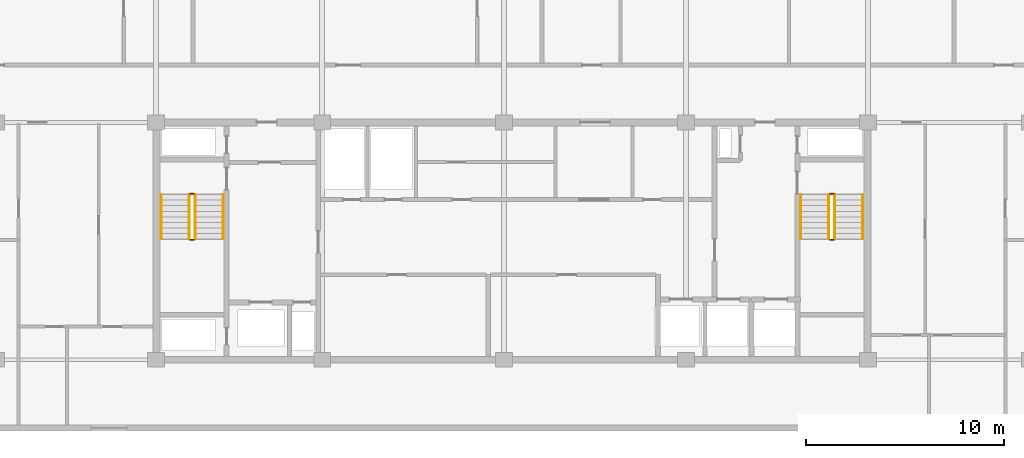
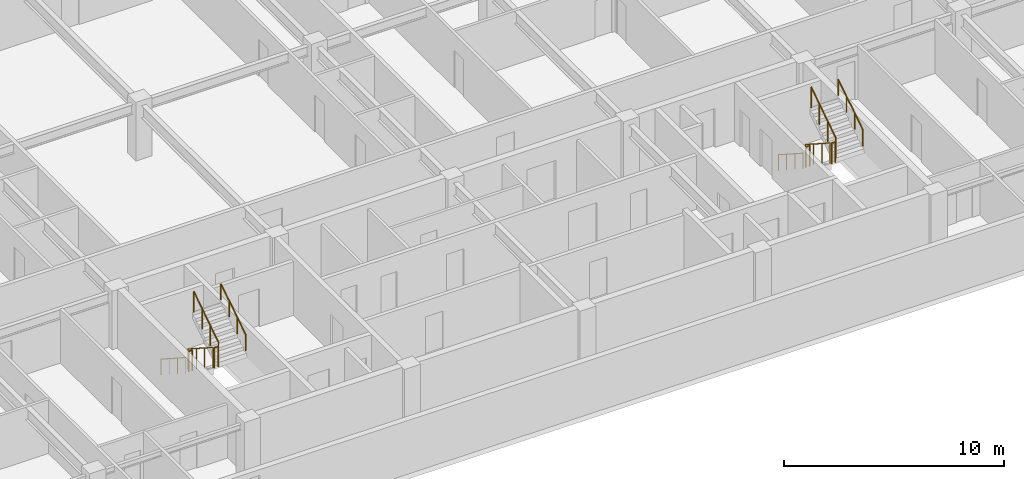
# One storey, part 21 of 22: 12 railings.
"""IFC4 building model written with IfcOpenShell, lengths in metres."""

from ifc_helpers import new_model, si_unit, direction, frame, origin, origin_2d, place, context, subcontext, project, spatial, circle, extrude, material, type_object, element, save


model = new_model("IFC4")

# Units and contexts
model_context = context("Model", 3, precision=1e-05, world=origin(), true_north=direction((0.0, 1.0)))
body_context = subcontext(model_context, "Body", "Model", "MODEL_VIEW")
ifc_project = project(units=[si_unit("LENGTHUNIT", "METRE"), si_unit("AREAUNIT", "SQUARE_METRE"), si_unit("VOLUMEUNIT", "CUBIC_METRE"), si_unit("PLANEANGLEUNIT", "RADIAN"), si_unit("MASSUNIT", "GRAM", prefix="KILO")], contexts=[model_context])

# Site, building, storey
site_placement = place(None, origin())
site = spatial("IfcSite", under=ifc_project, at=site_placement, CompositionType="ELEMENT")
building_placement = place(site_placement, origin())
building = spatial("IfcBuilding", under=site, at=building_placement, Name="Korimba Cascade Residences", CompositionType="ELEMENT")
storey_placement = place(building_placement, frame((0.0, 0.0, 194.60009765625)))
storey = spatial("IfcBuildingStorey", under=building, at=storey_placement, Name="L56", CompositionType="ELEMENT", Elevation=194.60009765625)

# Railings
ifc_material_1 = material(Name="Painted Steel Stairwell Guardrail", Category="steel")
railing_type_1 = type_object("IfcRailingType", Name="RLG-ST-GD1150", PredefinedType="GUARDRAIL", material=ifc_material_1)
railing_1_placement = place(storey_placement, frame((77.77001953125, 63.550048828125, 0.180419921875)))
element("IfcRailing", 1, at=railing_1_placement, inside=storey, type_object=railing_type_1, Name="L56 ST-W1 stair guard 1", PredefinedType="GUARDRAIL", context=body_context, shape_type="SweptSolid", body=[
    extrude(circle(Radius=0.02392578125, at=origin_2d()), frame((0.0, 0.0, 1.1259765625), z_axis=(0.0, -0.840394893359, 0.541974559565), x_axis=(1.0, 0.0, 0.0)), (0.0, 0.0, 1.0), 2.665283203125),
    extrude(circle(Radius=0.02099609375, at=origin_2d()), origin(), (0.0, 0.0, 1.0), 1.101806640625),
    extrude(circle(Radius=0.02099609375, at=origin_2d()), frame((0.0, -0.74658203125, 0.4814453125)), (0.0, 0.0, 1.0), 1.101806640625),
    extrude(circle(Radius=0.02099609375, at=origin_2d()), frame((0.0, -1.493408203125, 0.963134765625)), (0.0, 0.0, 1.0), 1.101806640625),
    extrude(circle(Radius=0.02099609375, at=origin_2d()), frame((0.0, -2.239990234375, 1.444580078125)), (0.0, 0.0, 1.0), 1.101806640625),
])
railing_2_placement = place(storey_placement, frame((77.820068359375, 61.260009765625, 1.625)))
element("IfcRailing", 2, at=railing_2_placement, inside=storey, type_object=railing_type_1, Name="L56 ST-W1 stair guard 2", PredefinedType="GUARDRAIL", context=body_context, shape_type="SweptSolid", body=[
    extrude(circle(Radius=0.02392578125, at=origin_2d()), frame((0.0, 0.0, 1.1259765625), z_axis=(1.0, 0.0, 0.0), x_axis=(0.0, 1.0, 0.0)), (0.0, 0.0, 1.0), 0.199951171875),
    extrude(circle(Radius=0.02099609375, at=origin_2d()), origin(), (0.0, 0.0, 1.0), 1.101806640625),
    extrude(circle(Radius=0.02099609375, at=origin_2d()), frame((0.199951171875, 0.0, 0.0)), (0.0, 0.0, 1.0), 1.101806640625),
])
railing_3_placement = place(storey_placement, frame((78.070068359375, 61.31005859375, 1.805419921875)))
element("IfcRailing", 3, at=railing_3_placement, inside=storey, type_object=railing_type_1, Name="L56 ST-W1 stair guard 3", PredefinedType="GUARDRAIL", context=body_context, shape_type="SweptSolid", body=[
    extrude(circle(Radius=0.02392578125, at=origin_2d()), frame((0.0, 0.0, 1.1259765625), z_axis=(0.0, 0.840394893359, 0.541974559565), x_axis=(-1.0, 0.0, 0.0)), (0.0, 0.0, 1.0), 2.665283203125),
    extrude(circle(Radius=0.02099609375, at=origin_2d()), origin(), (0.0, 0.0, 1.0), 1.101806640625),
    extrude(circle(Radius=0.02099609375, at=origin_2d()), frame((0.0, 0.74658203125, 0.4814453125)), (0.0, 0.0, 1.0), 1.101806640625),
    extrude(circle(Radius=0.02099609375, at=origin_2d()), frame((0.0, 1.493408203125, 0.963134765625)), (0.0, 0.0, 1.0), 1.101806640625),
    extrude(circle(Radius=0.02099609375, at=origin_2d()), frame((0.0, 2.239990234375, 1.444580078125)), (0.0, 0.0, 1.0), 1.101806640625),
])
railing_4_placement = place(storey_placement, frame((77.820068359375, 63.60009765625, 0.0)))
element("IfcRailing", 4, at=railing_4_placement, inside=storey, type_object=railing_type_1, Name="L56 ST-W1 stair guard 4", PredefinedType="GUARDRAIL", context=body_context, shape_type="SweptSolid", body=[
    extrude(circle(Radius=0.02392578125, at=origin_2d()), frame((0.0, 0.0, 1.1259765625), z_axis=(1.0, 0.0, 0.0), x_axis=(0.0, 1.0, 0.0)), (0.0, 0.0, 1.0), 0.199951171875),
    extrude(circle(Radius=0.02099609375, at=origin_2d()), origin(), (0.0, 0.0, 1.0), 1.101806640625),
    extrude(circle(Radius=0.02099609375, at=origin_2d()), frame((0.199951171875, 0.0, 0.0)), (0.0, 0.0, 1.0), 1.101806640625),
])
railing_5_placement = place(storey_placement, frame((110.1298828125, 63.550048828125, 0.180419921875)))
element("IfcRailing", 5, at=railing_5_placement, inside=storey, type_object=railing_type_1, Name="L56 ST-W2 stair guard 1", PredefinedType="GUARDRAIL", context=body_context, shape_type="SweptSolid", body=[
    extrude(circle(Radius=0.02392578125, at=origin_2d()), frame((0.0, 0.0, 1.1259765625), z_axis=(0.0, -0.840394893359, 0.541974559565), x_axis=(1.0, 0.0, 0.0)), (0.0, 0.0, 1.0), 2.665283203125),
    extrude(circle(Radius=0.02099609375, at=origin_2d()), origin(), (0.0, 0.0, 1.0), 1.101806640625),
    extrude(circle(Radius=0.02099609375, at=origin_2d()), frame((0.0, -0.74658203125, 0.4814453125)), (0.0, 0.0, 1.0), 1.101806640625),
    extrude(circle(Radius=0.02099609375, at=origin_2d()), frame((0.0, -1.493408203125, 0.963134765625)), (0.0, 0.0, 1.0), 1.101806640625),
    extrude(circle(Radius=0.02099609375, at=origin_2d()), frame((0.0, -2.239990234375, 1.444580078125)), (0.0, 0.0, 1.0), 1.101806640625),
])
railing_6_placement = place(storey_placement, frame((110.179931640625, 61.260009765625, 1.625)))
element("IfcRailing", 6, at=railing_6_placement, inside=storey, type_object=railing_type_1, Name="L56 ST-W2 stair guard 2", PredefinedType="GUARDRAIL", context=body_context, shape_type="SweptSolid", body=[
    extrude(circle(Radius=0.02392578125, at=origin_2d()), frame((0.0, 0.0, 1.1259765625), z_axis=(1.0, 0.0, 0.0), x_axis=(0.0, 1.0, 0.0)), (0.0, 0.0, 1.0), 0.199951171875),
    extrude(circle(Radius=0.02099609375, at=origin_2d()), origin(), (0.0, 0.0, 1.0), 1.101806640625),
    extrude(circle(Radius=0.02099609375, at=origin_2d()), frame((0.199951171875, 0.0, 0.0)), (0.0, 0.0, 1.0), 1.101806640625),
])
railing_7_placement = place(storey_placement, frame((110.429931640625, 61.31005859375, 1.805419921875)))
element("IfcRailing", 7, at=railing_7_placement, inside=storey, type_object=railing_type_1, Name="L56 ST-W2 stair guard 3", PredefinedType="GUARDRAIL", context=body_context, shape_type="SweptSolid", body=[
    extrude(circle(Radius=0.02392578125, at=origin_2d()), frame((0.0, 0.0, 1.1259765625), z_axis=(0.0, 0.840394893359, 0.541974559565), x_axis=(-1.0, 0.0, 0.0)), (0.0, 0.0, 1.0), 2.665283203125),
    extrude(circle(Radius=0.02099609375, at=origin_2d()), origin(), (0.0, 0.0, 1.0), 1.101806640625),
    extrude(circle(Radius=0.02099609375, at=origin_2d()), frame((0.0, 0.74658203125, 0.4814453125)), (0.0, 0.0, 1.0), 1.101806640625),
    extrude(circle(Radius=0.02099609375, at=origin_2d()), frame((0.0, 1.493408203125, 0.963134765625)), (0.0, 0.0, 1.0), 1.101806640625),
    extrude(circle(Radius=0.02099609375, at=origin_2d()), frame((0.0, 2.239990234375, 1.444580078125)), (0.0, 0.0, 1.0), 1.101806640625),
])
railing_8_placement = place(storey_placement, frame((110.179931640625, 63.60009765625, 0.0)))
element("IfcRailing", 8, at=railing_8_placement, inside=storey, type_object=railing_type_1, Name="L56 ST-W2 stair guard 4", PredefinedType="GUARDRAIL", context=body_context, shape_type="SweptSolid", body=[
    extrude(circle(Radius=0.02392578125, at=origin_2d()), frame((0.0, 0.0, 1.1259765625), z_axis=(1.0, 0.0, 0.0), x_axis=(0.0, 1.0, 0.0)), (0.0, 0.0, 1.0), 0.199951171875),
    extrude(circle(Radius=0.02099609375, at=origin_2d()), origin(), (0.0, 0.0, 1.0), 1.101806640625),
    extrude(circle(Radius=0.02099609375, at=origin_2d()), frame((0.199951171875, 0.0, 0.0)), (0.0, 0.0, 1.0), 1.101806640625),
])
ifc_material_2 = material(Name="Brushed Stainless Steel Handrail", Category="steel")
railing_type_2 = type_object("IfcRailingType", Name="RLG-ST-HR900", PredefinedType="HANDRAIL", material=ifc_material_2)
railing_9_placement = place(storey_placement, frame((76.35009765625, 63.550048828125, 0.36474609375)))
element("IfcRailing", 9, at=railing_9_placement, inside=storey, type_object=railing_type_2, Name="L56 ST-W1 stair handrail 1", PredefinedType="HANDRAIL", context=body_context, shape_type="SweptSolid", body=[
    extrude(circle(Radius=0.02392578125, at=origin_2d()), frame((0.0, 0.0, 0.8759765625), z_axis=(0.0, -0.840394893359, 0.541974559565), x_axis=(1.0, 0.0, 0.0)), (0.0, 0.0, 1.0), 2.665283203125),
    extrude(circle(Radius=0.02099609375, at=origin_2d()), origin(), (0.0, 0.0, 1.0), 0.851806640625),
    extrude(circle(Radius=0.02099609375, at=origin_2d()), frame((0.0, -0.74658203125, 0.4814453125)), (0.0, 0.0, 1.0), 0.851806640625),
    extrude(circle(Radius=0.02099609375, at=origin_2d()), frame((0.0, -1.493408203125, 0.963134765625)), (0.0, 0.0, 1.0), 0.851806640625),
    extrude(circle(Radius=0.02099609375, at=origin_2d()), frame((0.0, -2.239990234375, 1.444580078125)), (0.0, 0.0, 1.0), 0.851806640625),
])
railing_10_placement = place(storey_placement, frame((79.489990234375, 61.31005859375, 1.98974609375)))
element("IfcRailing", 10, at=railing_10_placement, inside=storey, type_object=railing_type_2, Name="L56 ST-W1 stair handrail 2", PredefinedType="HANDRAIL", context=body_context, shape_type="SweptSolid", body=[
    extrude(circle(Radius=0.02392578125, at=origin_2d()), frame((0.0, 0.0, 0.8759765625), z_axis=(0.0, 0.840394893359, 0.541974559565), x_axis=(-1.0, 0.0, 0.0)), (0.0, 0.0, 1.0), 2.665283203125),
    extrude(circle(Radius=0.02099609375, at=origin_2d()), origin(), (0.0, 0.0, 1.0), 0.851806640625),
    extrude(circle(Radius=0.02099609375, at=origin_2d()), frame((0.0, 0.74658203125, 0.4814453125)), (0.0, 0.0, 1.0), 0.851806640625),
    extrude(circle(Radius=0.02099609375, at=origin_2d()), frame((0.0, 1.493408203125, 0.963134765625)), (0.0, 0.0, 1.0), 0.851806640625),
    extrude(circle(Radius=0.02099609375, at=origin_2d()), frame((0.0, 2.239990234375, 1.444580078125)), (0.0, 0.0, 1.0), 0.851806640625),
])
railing_11_placement = place(storey_placement, frame((108.7099609375, 63.550048828125, 0.36474609375)))
element("IfcRailing", 11, at=railing_11_placement, inside=storey, type_object=railing_type_2, Name="L56 ST-W2 stair handrail 1", PredefinedType="HANDRAIL", context=body_context, shape_type="SweptSolid", body=[
    extrude(circle(Radius=0.02392578125, at=origin_2d()), frame((0.0, 0.0, 0.8759765625), z_axis=(0.0, -0.840394893359, 0.541974559565), x_axis=(1.0, 0.0, 0.0)), (0.0, 0.0, 1.0), 2.665283203125),
    extrude(circle(Radius=0.02099609375, at=origin_2d()), origin(), (0.0, 0.0, 1.0), 0.851806640625),
    extrude(circle(Radius=0.02099609375, at=origin_2d()), frame((0.0, -0.74658203125, 0.4814453125)), (0.0, 0.0, 1.0), 0.851806640625),
    extrude(circle(Radius=0.02099609375, at=origin_2d()), frame((0.0, -1.493408203125, 0.963134765625)), (0.0, 0.0, 1.0), 0.851806640625),
    extrude(circle(Radius=0.02099609375, at=origin_2d()), frame((0.0, -2.239990234375, 1.444580078125)), (0.0, 0.0, 1.0), 0.851806640625),
])
railing_12_placement = place(storey_placement, frame((111.85009765625, 61.31005859375, 1.98974609375)))
element("IfcRailing", 12, at=railing_12_placement, inside=storey, type_object=railing_type_2, Name="L56 ST-W2 stair handrail 2", PredefinedType="HANDRAIL", context=body_context, shape_type="SweptSolid", body=[
    extrude(circle(Radius=0.02392578125, at=origin_2d()), frame((0.0, 0.0, 0.8759765625), z_axis=(0.0, 0.840394893359, 0.541974559565), x_axis=(-1.0, 0.0, 0.0)), (0.0, 0.0, 1.0), 2.665283203125),
    extrude(circle(Radius=0.02099609375, at=origin_2d()), origin(), (0.0, 0.0, 1.0), 0.851806640625),
    extrude(circle(Radius=0.02099609375, at=origin_2d()), frame((0.0, 0.74658203125, 0.4814453125)), (0.0, 0.0, 1.0), 0.851806640625),
    extrude(circle(Radius=0.02099609375, at=origin_2d()), frame((0.0, 1.493408203125, 0.963134765625)), (0.0, 0.0, 1.0), 0.851806640625),
    extrude(circle(Radius=0.02099609375, at=origin_2d()), frame((0.0, 2.239990234375, 1.444580078125)), (0.0, 0.0, 1.0), 0.851806640625),
])

save(model, "model.ifc")
